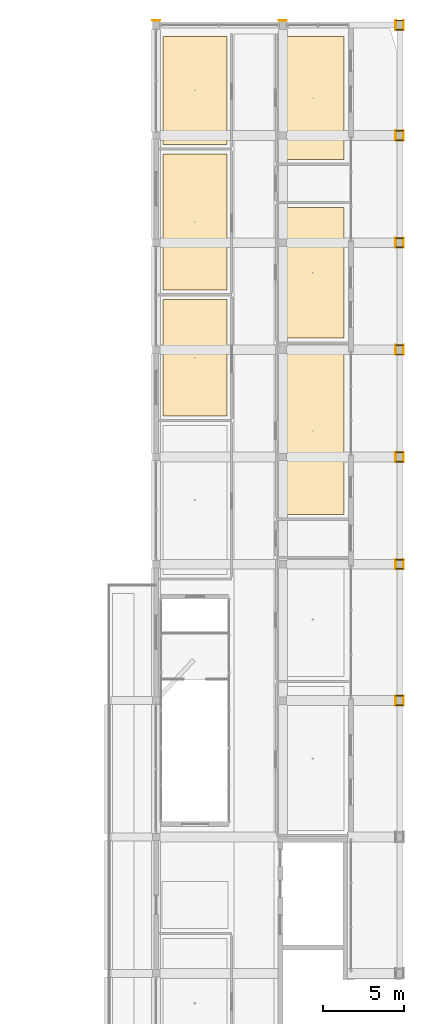
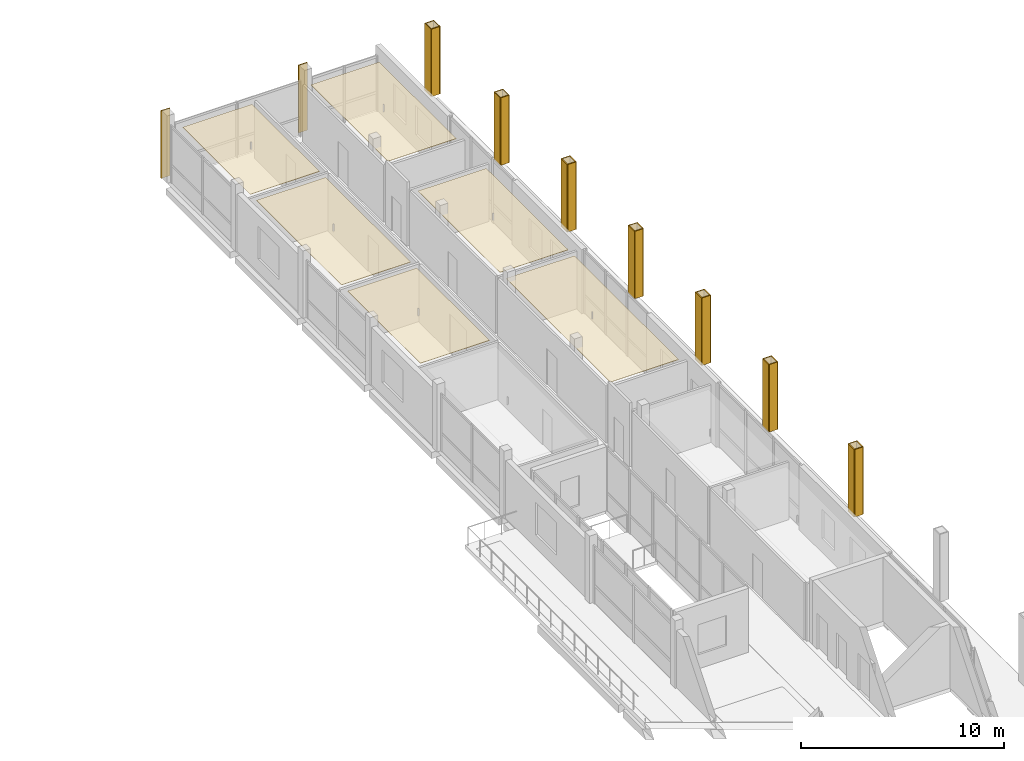
# One storey, part 48 of 48: 36 coverings.
"""IFC4 building model written with IfcOpenShell, lengths in metres."""

from ifc_helpers import new_model, si_unit, derived_unit, direction, frame, origin, origin_2d, place, context, subcontext, project, spatial, polyline, rectangle, outline, extrude, material, layer, layer_set, type_object, element, save


model = new_model("IFC4")

# Units and contexts
model_context = context("Model", 3, precision=1e-05, world=origin(), true_north=direction((0.0, 1.0)))
body_context = subcontext(model_context, "Body", "Model", "MODEL_VIEW")
ifc_project = project(units=[si_unit("LENGTHUNIT", "METRE"), si_unit("AREAUNIT", "SQUARE_METRE"), si_unit("VOLUMEUNIT", "CUBIC_METRE"), si_unit("PLANEANGLEUNIT", "RADIAN"), si_unit("MASSUNIT", "GRAM", prefix="KILO"), derived_unit("THERMALTRANSMITTANCEUNIT", [(si_unit("POWERUNIT", "WATT"), 1), (si_unit("LENGTHUNIT", "METRE"), -2), (si_unit("THERMODYNAMICTEMPERATUREUNIT", "KELVIN"), -1)])], contexts=[model_context])

# Site, building, storey
site_placement = place(None, origin())
site = spatial("IfcSite", under=ifc_project, at=site_placement, CompositionType="ELEMENT")
building_placement = place(site_placement, origin())
building = spatial("IfcBuilding", under=site, at=building_placement, Name="Braskholm Square Health Centre", CompositionType="ELEMENT")
storey_placement = place(building_placement, frame((0.0, 0.0, 17.550048828125)))
storey = spatial("IfcBuildingStorey", under=building, at=storey_placement, Name="L05", CompositionType="ELEMENT", Elevation=17.550048828125)

# Coverings
ifc_material_1 = material(Name="Fire-rated gypsum board barrier")
ifc_layer_1 = layer(ifc_material_1, 0.02490234375)
ifc_layer_set_1 = layer_set([ifc_layer_1], Name="Fire-rated gypsum board barrier")
covering_type_1 = type_object("IfcCoveringType", Name="AcousticClinicalCeilingTile", PredefinedType="CEILING", material=ifc_layer_set_1)
covering_1_placement = place(storey_placement, frame((0.0, 0.0, 3.405029296875)))
element("IfcCovering", 1, at=covering_1_placement, inside=storey, type_object=covering_type_1, Name="Acoustic ceiling L05-279", PredefinedType="CEILING", context=body_context, shape_type="SweptSolid", body=[
    extrude(outline(polyline([(156.5, 83.669921875), (160.3798828125, 83.669921875), (160.3798828125, 93.929931640625), (156.5, 93.929931640625), (156.5, 83.669921875)])), origin(), (0.0, 0.0, 1.0), 0.02490234375),
])
covering_2_placement = place(storey_placement, frame((0.0, 0.0, 3.405029296875)))
element("IfcCovering", 2, at=covering_2_placement, inside=storey, type_object=covering_type_1, Name="Acoustic ceiling L05-280", PredefinedType="CEILING", context=body_context, shape_type="SweptSolid", body=[
    extrude(outline(polyline([(156.5, 94.530029296875), (160.3798828125, 94.530029296875), (160.3798828125, 102.580078125), (156.5, 102.580078125), (156.5, 94.530029296875)])), origin(), (0.0, 0.0, 1.0), 0.02490234375),
])
covering_3_placement = place(storey_placement, frame((0.0, 0.0, 3.405029296875)))
element("IfcCovering", 3, at=covering_3_placement, inside=storey, type_object=covering_type_1, Name="Acoustic ceiling L05-282", PredefinedType="CEILING", context=body_context, shape_type="SweptSolid", body=[
    extrude(outline(polyline([(156.5, 105.530029296875), (160.3798828125, 105.530029296875), (160.3798828125, 113.10009765625), (156.5, 113.10009765625), (156.5, 105.530029296875)])), origin(), (0.0, 0.0, 1.0), 0.02490234375),
])
covering_4_placement = place(storey_placement, frame((0.0, 0.0, 3.405029296875)))
element("IfcCovering", 4, at=covering_4_placement, inside=storey, type_object=covering_type_1, Name="Acoustic ceiling L05-289", PredefinedType="CEILING", context=body_context, shape_type="SweptSolid", body=[
    extrude(outline(polyline([(149.219970703125, 89.739990234375), (153.14990234375, 89.739990234375), (153.14990234375, 96.889892578125), (149.219970703125, 96.889892578125), (149.219970703125, 89.739990234375)])), origin(), (0.0, 0.0, 1.0), 0.02490234375),
])
covering_5_placement = place(storey_placement, frame((0.0, 0.0, 3.405029296875)))
element("IfcCovering", 5, at=covering_5_placement, inside=storey, type_object=covering_type_1, Name="Acoustic ceiling L05-290", PredefinedType="CEILING", context=body_context, shape_type="SweptSolid", body=[
    extrude(outline(polyline([(149.219970703125, 97.489990234375), (153.14990234375, 97.489990234375), (153.14990234375, 105.860107421875), (149.219970703125, 105.860107421875), (149.219970703125, 97.489990234375)])), origin(), (0.0, 0.0, 1.0), 0.02490234375),
])
covering_6_placement = place(storey_placement, frame((0.0, 0.0, 3.405029296875)))
element("IfcCovering", 6, at=covering_6_placement, inside=storey, type_object=covering_type_1, Name="Acoustic ceiling L05-291", PredefinedType="CEILING", context=body_context, shape_type="SweptSolid", body=[
    extrude(outline(polyline([(149.219970703125, 106.4599609375), (153.14990234375, 106.4599609375), (153.14990234375, 113.10009765625), (149.219970703125, 113.10009765625), (149.219970703125, 106.4599609375)])), origin(), (0.0, 0.0, 1.0), 0.02490234375),
])
ifc_material_2 = material(Name="Precast concrete C40/50 architectural white", Category="concrete")
ifc_layer_2 = layer(ifc_material_2, 0.054931640625)
ifc_layer_set_2 = layer_set([ifc_layer_2], Name="Precast concrete C40/50 architectural white")
covering_type_2 = type_object("IfcCoveringType", Name="PrecastWhiteColumnCasing", PredefinedType="CLADDING", material=ifc_layer_set_2)
for number, where, z_axis, x_axis, name in (
    (7, (148.800048828125, 114.0849609375, 0.0), (0.0, 0.0, 1.0), (1.0, 0.0, 0.0), "Giant-order white precast column casing 0233"),
    (8, (156.60009765625, 114.0849609375, 0.0), (0.0, 0.0, 1.0), (1.0, 0.0, 0.0), "Giant-order white precast column casing 0243"),
):
    element("IfcCovering", number, at=place(storey_placement, frame(where, z_axis=z_axis, x_axis=x_axis)), inside=storey, type_object=covering_type_2, Name=name, PredefinedType="CLADDING", context=body_context, shape_type="SweptSolid", body=[
        extrude(rectangle(XDim=0.5, YDim=0.06005859375, at=origin_2d()), origin(), (0.0, 0.0, 1.0), 4.050048828125),
    ])
for number, where, z_axis, x_axis, name in (
    (9, (163.56494140625, 72.199951171875, 0.0), (0.0, 0.0, 1.0), (1.0, 0.0, 0.0), "Giant-order white precast column casing 0328"),
    (10, (164.034912109375, 72.199951171875, 0.0), (0.0, 0.0, 1.0), (1.0, 0.0, 0.0), "Giant-order white precast column casing 0329"),
):
    element("IfcCovering", number, at=place(storey_placement, frame(where, z_axis=z_axis, x_axis=x_axis)), inside=storey, type_object=covering_type_2, Name=name, PredefinedType="CLADDING", context=body_context, shape_type="SweptSolid", body=[
        extrude(rectangle(XDim=0.06005859375, YDim=0.6201171875, at=origin_2d()), origin(), (0.0, 0.0, 1.0), 4.050048828125),
    ])
for number, where, z_axis, x_axis, name in (
    (11, (163.800048828125, 71.9150390625, 0.0), (0.0, 0.0, 1.0), (1.0, 0.0, 0.0), "Giant-order white precast column casing 0330"),
    (12, (163.800048828125, 72.485107421875, 0.0), (0.0, 0.0, 1.0), (1.0, 0.0, 0.0), "Giant-order white precast column casing 0331"),
):
    element("IfcCovering", number, at=place(storey_placement, frame(where, z_axis=z_axis, x_axis=x_axis)), inside=storey, type_object=covering_type_2, Name=name, PredefinedType="CLADDING", context=body_context, shape_type="SweptSolid", body=[
        extrude(rectangle(XDim=0.4599609375, YDim=0.06005859375, at=origin_2d()), origin(), (0.0, 0.0, 1.0), 4.050048828125),
    ])
for number, where, z_axis, x_axis, name in (
    (13, (163.56494140625, 80.60009765625, 0.0), (0.0, 0.0, 1.0), (1.0, 0.0, 0.0), "Giant-order white precast column casing 0336"),
    (14, (164.034912109375, 80.60009765625, 0.0), (0.0, 0.0, 1.0), (1.0, 0.0, 0.0), "Giant-order white precast column casing 0337"),
):
    element("IfcCovering", number, at=place(storey_placement, frame(where, z_axis=z_axis, x_axis=x_axis)), inside=storey, type_object=covering_type_2, Name=name, PredefinedType="CLADDING", context=body_context, shape_type="SweptSolid", body=[
        extrude(rectangle(XDim=0.06005859375, YDim=0.6201171875, at=origin_2d()), origin(), (0.0, 0.0, 1.0), 4.050048828125),
    ])
for number, where, z_axis, x_axis, name in (
    (15, (163.800048828125, 80.31494140625, 0.0), (0.0, 0.0, 1.0), (1.0, 0.0, 0.0), "Giant-order white precast column casing 0338"),
    (16, (163.800048828125, 80.885009765625, 0.0), (0.0, 0.0, 1.0), (1.0, 0.0, 0.0), "Giant-order white precast column casing 0339"),
):
    element("IfcCovering", number, at=place(storey_placement, frame(where, z_axis=z_axis, x_axis=x_axis)), inside=storey, type_object=covering_type_2, Name=name, PredefinedType="CLADDING", context=body_context, shape_type="SweptSolid", body=[
        extrude(rectangle(XDim=0.4599609375, YDim=0.06005859375, at=origin_2d()), origin(), (0.0, 0.0, 1.0), 4.050048828125),
    ])
for number, where, z_axis, x_axis, name in (
    (17, (163.56494140625, 87.199951171875, 0.0), (0.0, 0.0, 1.0), (1.0, 0.0, 0.0), "Giant-order white precast column casing 0344"),
    (18, (164.034912109375, 87.199951171875, 0.0), (0.0, 0.0, 1.0), (1.0, 0.0, 0.0), "Giant-order white precast column casing 0345"),
):
    element("IfcCovering", number, at=place(storey_placement, frame(where, z_axis=z_axis, x_axis=x_axis)), inside=storey, type_object=covering_type_2, Name=name, PredefinedType="CLADDING", context=body_context, shape_type="SweptSolid", body=[
        extrude(rectangle(XDim=0.06005859375, YDim=0.6201171875, at=origin_2d()), origin(), (0.0, 0.0, 1.0), 4.050048828125),
    ])
for number, where, z_axis, x_axis, name in (
    (19, (163.800048828125, 86.9150390625, 0.0), (0.0, 0.0, 1.0), (1.0, 0.0, 0.0), "Giant-order white precast column casing 0346"),
    (20, (163.800048828125, 87.485107421875, 0.0), (0.0, 0.0, 1.0), (1.0, 0.0, 0.0), "Giant-order white precast column casing 0347"),
):
    element("IfcCovering", number, at=place(storey_placement, frame(where, z_axis=z_axis, x_axis=x_axis)), inside=storey, type_object=covering_type_2, Name=name, PredefinedType="CLADDING", context=body_context, shape_type="SweptSolid", body=[
        extrude(rectangle(XDim=0.4599609375, YDim=0.06005859375, at=origin_2d()), origin(), (0.0, 0.0, 1.0), 4.050048828125),
    ])
for number, where, z_axis, x_axis, name in (
    (21, (163.56494140625, 93.800048828125, 0.0), (0.0, 0.0, 1.0), (1.0, 0.0, 0.0), "Giant-order white precast column casing 0352"),
    (22, (164.034912109375, 93.800048828125, 0.0), (0.0, 0.0, 1.0), (1.0, 0.0, 0.0), "Giant-order white precast column casing 0353"),
):
    element("IfcCovering", number, at=place(storey_placement, frame(where, z_axis=z_axis, x_axis=x_axis)), inside=storey, type_object=covering_type_2, Name=name, PredefinedType="CLADDING", context=body_context, shape_type="SweptSolid", body=[
        extrude(rectangle(XDim=0.06005859375, YDim=0.6201171875, at=origin_2d()), origin(), (0.0, 0.0, 1.0), 4.050048828125),
    ])
for number, where, z_axis, x_axis, name in (
    (23, (163.800048828125, 93.514892578125, 0.0), (0.0, 0.0, 1.0), (1.0, 0.0, 0.0), "Giant-order white precast column casing 0354"),
    (24, (163.800048828125, 94.0849609375, 0.0), (0.0, 0.0, 1.0), (1.0, 0.0, 0.0), "Giant-order white precast column casing 0355"),
):
    element("IfcCovering", number, at=place(storey_placement, frame(where, z_axis=z_axis, x_axis=x_axis)), inside=storey, type_object=covering_type_2, Name=name, PredefinedType="CLADDING", context=body_context, shape_type="SweptSolid", body=[
        extrude(rectangle(XDim=0.4599609375, YDim=0.06005859375, at=origin_2d()), origin(), (0.0, 0.0, 1.0), 4.050048828125),
    ])
for number, where, z_axis, x_axis, name in (
    (25, (163.56494140625, 100.39990234375, 0.0), (0.0, 0.0, 1.0), (1.0, 0.0, 0.0), "Giant-order white precast column casing 0360"),
    (26, (164.034912109375, 100.39990234375, 0.0), (0.0, 0.0, 1.0), (1.0, 0.0, 0.0), "Giant-order white precast column casing 0361"),
):
    element("IfcCovering", number, at=place(storey_placement, frame(where, z_axis=z_axis, x_axis=x_axis)), inside=storey, type_object=covering_type_2, Name=name, PredefinedType="CLADDING", context=body_context, shape_type="SweptSolid", body=[
        extrude(rectangle(XDim=0.06005859375, YDim=0.6201171875, at=origin_2d()), origin(), (0.0, 0.0, 1.0), 4.050048828125),
    ])
for number, where, z_axis, x_axis, name in (
    (27, (163.800048828125, 100.114990234375, 0.0), (0.0, 0.0, 1.0), (1.0, 0.0, 0.0), "Giant-order white precast column casing 0362"),
    (28, (163.800048828125, 100.68505859375, 0.0), (0.0, 0.0, 1.0), (1.0, 0.0, 0.0), "Giant-order white precast column casing 0363"),
):
    element("IfcCovering", number, at=place(storey_placement, frame(where, z_axis=z_axis, x_axis=x_axis)), inside=storey, type_object=covering_type_2, Name=name, PredefinedType="CLADDING", context=body_context, shape_type="SweptSolid", body=[
        extrude(rectangle(XDim=0.4599609375, YDim=0.06005859375, at=origin_2d()), origin(), (0.0, 0.0, 1.0), 4.050048828125),
    ])
for number, where, z_axis, x_axis, name in (
    (29, (163.56494140625, 107.0, 0.0), (0.0, 0.0, 1.0), (1.0, 0.0, 0.0), "Giant-order white precast column casing 0368"),
    (30, (164.034912109375, 107.0, 0.0), (0.0, 0.0, 1.0), (1.0, 0.0, 0.0), "Giant-order white precast column casing 0369"),
):
    element("IfcCovering", number, at=place(storey_placement, frame(where, z_axis=z_axis, x_axis=x_axis)), inside=storey, type_object=covering_type_2, Name=name, PredefinedType="CLADDING", context=body_context, shape_type="SweptSolid", body=[
        extrude(rectangle(XDim=0.06005859375, YDim=0.6201171875, at=origin_2d()), origin(), (0.0, 0.0, 1.0), 4.050048828125),
    ])
for number, where, z_axis, x_axis, name in (
    (31, (163.800048828125, 106.715087890625, 0.0), (0.0, 0.0, 1.0), (1.0, 0.0, 0.0), "Giant-order white precast column casing 0370"),
    (32, (163.800048828125, 107.284912109375, 0.0), (0.0, 0.0, 1.0), (1.0, 0.0, 0.0), "Giant-order white precast column casing 0371"),
):
    element("IfcCovering", number, at=place(storey_placement, frame(where, z_axis=z_axis, x_axis=x_axis)), inside=storey, type_object=covering_type_2, Name=name, PredefinedType="CLADDING", context=body_context, shape_type="SweptSolid", body=[
        extrude(rectangle(XDim=0.4599609375, YDim=0.06005859375, at=origin_2d()), origin(), (0.0, 0.0, 1.0), 4.050048828125),
    ])
for number, where, z_axis, x_axis, name in (
    (33, (163.56494140625, 113.800048828125, 0.0), (0.0, 0.0, 1.0), (1.0, 0.0, 0.0), "Giant-order white precast column casing 0376"),
    (34, (164.034912109375, 113.800048828125, 0.0), (0.0, 0.0, 1.0), (1.0, 0.0, 0.0), "Giant-order white precast column casing 0377"),
):
    element("IfcCovering", number, at=place(storey_placement, frame(where, z_axis=z_axis, x_axis=x_axis)), inside=storey, type_object=covering_type_2, Name=name, PredefinedType="CLADDING", context=body_context, shape_type="SweptSolid", body=[
        extrude(rectangle(XDim=0.06005859375, YDim=0.6201171875, at=origin_2d()), origin(), (0.0, 0.0, 1.0), 4.050048828125),
    ])
for number, where, z_axis, x_axis, name in (
    (35, (163.800048828125, 113.514892578125, 0.0), (0.0, 0.0, 1.0), (1.0, 0.0, 0.0), "Giant-order white precast column casing 0378"),
    (36, (163.800048828125, 114.0849609375, 0.0), (0.0, 0.0, 1.0), (1.0, 0.0, 0.0), "Giant-order white precast column casing 0379"),
):
    element("IfcCovering", number, at=place(storey_placement, frame(where, z_axis=z_axis, x_axis=x_axis)), inside=storey, type_object=covering_type_2, Name=name, PredefinedType="CLADDING", context=body_context, shape_type="SweptSolid", body=[
        extrude(rectangle(XDim=0.4599609375, YDim=0.06005859375, at=origin_2d()), origin(), (0.0, 0.0, 1.0), 4.050048828125),
    ])

save(model, "model.ifc")
